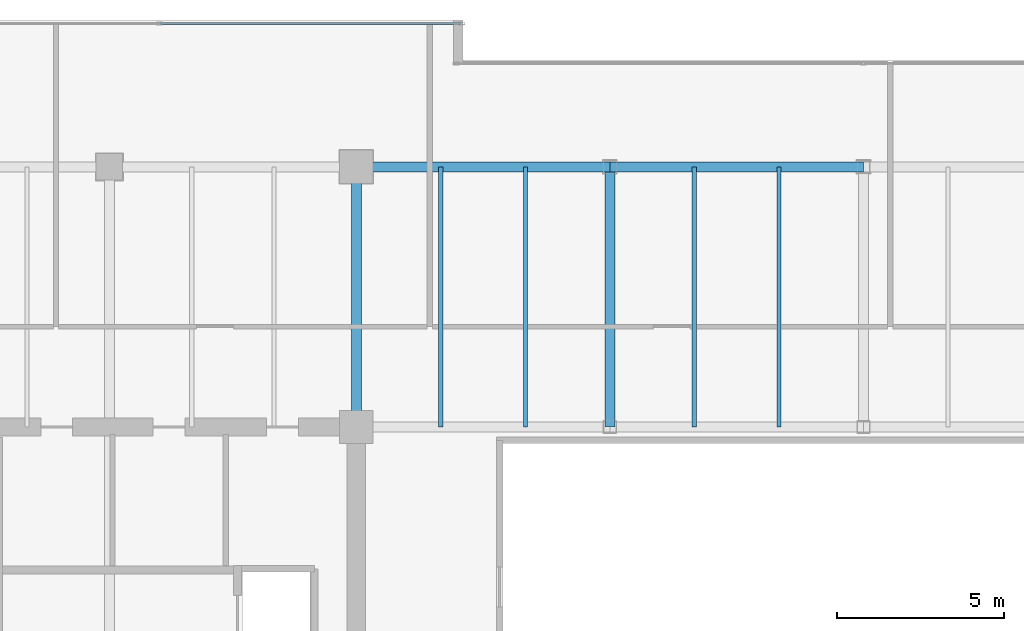
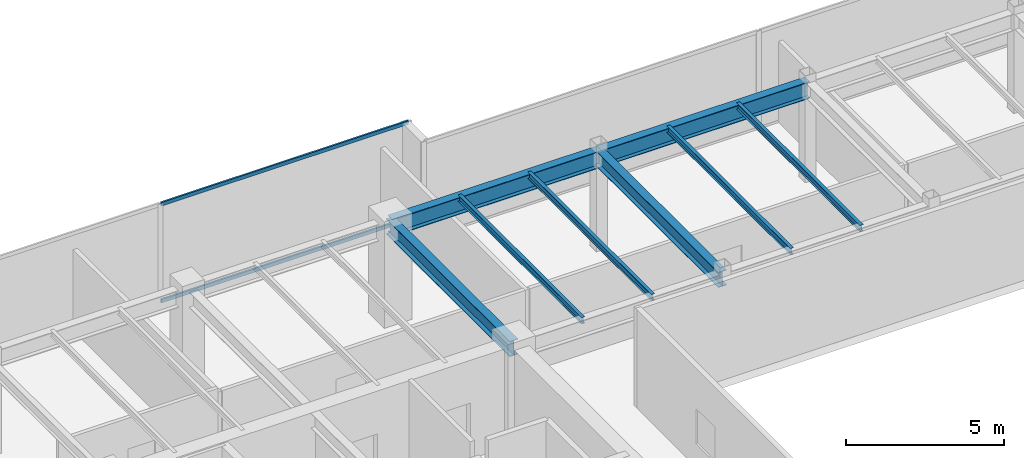
# One storey, part 16 of 36: 8 beams, 2 members, 1 element without a shape of its own.
"""IFC4 building model written with IfcOpenShell, lengths in metres."""

import ifcopenshell
import ifcopenshell.guid

model = None  # the IFC model being written
_history = None  # IfcOwnerHistory: only IFC2X3 demands one
_inside = {}  # id of a spatial element -> (the spatial element, [elements in it])
_under = {}  # id of a project, library or spatial element -> (it, [spatial elements below it])
_declared = {}  # id of a project -> (the project, [libraries it declares])
_typed = {}  # id of a type object -> (the type object, [elements of that type])
_made_of = {}  # id of a material, layer set ... -> (it, [elements and type objects made of it])


def new_model(schema):
    """Start an empty IFC model of exactly this schema.

    Asked for "IFC4X3", IfcOpenShell would pick the latest addendum, in which some entities
    have other attributes; the version numbers below select the first issue.
    IFC2X3 requires an IfcOwnerHistory on every rooted entity: one is made here for all.
    """
    global model, _history
    if schema == "IFC4X3":
        model = ifcopenshell.file(schema_version=(4, 3, 0, 0))
    else:
        model = ifcopenshell.file(schema=schema)
    _inside.clear()
    _under.clear()
    _declared.clear()
    _typed.clear()
    _made_of.clear()
    _history = None
    if model.schema == "IFC2X3":
        org = make("IfcOrganization", Name="unknown")
        user = make(
            "IfcPersonAndOrganization",
            ThePerson=make("IfcPerson", FamilyName="unknown"),
            TheOrganization=org,
        )
        app = make(
            "IfcApplication",
            ApplicationDeveloper=org,
            Version="unknown",
            ApplicationFullName="unknown",
            ApplicationIdentifier="unknown",
        )
        _history = make(
            "IfcOwnerHistory",
            OwningUser=user,
            OwningApplication=app,
            ChangeAction="ADDED",
            CreationDate=0,
        )
    return model


def make(cls, **values):
    """One entity of the class cls with the attributes given. An attribute that is None is left unset."""
    return model.create_entity(
        cls, **{name: value for name, value in values.items() if value is not None}
    )


def rooted(cls, **values):
    """An entity with a GlobalId (a new one), such as an element, a storey or a relation."""
    return make(cls, GlobalId=ifcopenshell.guid.new(), OwnerHistory=_history, **values)


def si_unit(unit_type, name, prefix=None):
    """IfcSIUnit, for example si_unit("LENGTHUNIT", "METRE", prefix="MILLI")."""
    return make("IfcSIUnit", UnitType=unit_type, Prefix=prefix, Name=name)


def assignment(units):
    """IfcUnitAssignment: the units of a project."""
    return None if units is None else make("IfcUnitAssignment", Units=units)


def point(xyz):
    """IfcCartesianPoint."""
    return None if xyz is None else make("IfcCartesianPoint", Coordinates=xyz)


def direction(xyz):
    """IfcDirection."""
    return None if xyz is None else make("IfcDirection", DirectionRatios=xyz)


def frame(location, z_axis=None, x_axis=None):
    """IfcAxis2Placement3D, a coordinate frame: its origin and axes. An axis left out is left unset."""
    return make(
        "IfcAxis2Placement3D",
        Location=point(location),
        Axis=direction(z_axis),
        RefDirection=direction(x_axis),
    )


def frame_2d(location, x_axis=None):
    """IfcAxis2Placement2D, a coordinate frame in the plane: its origin and x axis."""
    return make(
        "IfcAxis2Placement2D", Location=point(location), RefDirection=direction(x_axis)
    )


def origin():
    """The frame at (0, 0, 0) with its axes left unset."""
    return frame((0.0, 0.0, 0.0))


def origin_2d():
    """The frame at (0, 0) in the plane with its x axis left unset."""
    return frame_2d((0.0, 0.0))


def place(relative_to, where):
    """IfcLocalPlacement: puts the frame where relative to a parent placement (None: the world)."""
    return make(
        "IfcLocalPlacement", PlacementRelTo=relative_to, RelativePlacement=where
    )


def context(
    kind, dimensions, precision=None, world=None, true_north=None, identifier=None
):
    """IfcGeometricRepresentationContext, for example the 3D "Model" context."""
    return make(
        "IfcGeometricRepresentationContext",
        ContextIdentifier=identifier,
        ContextType=kind,
        CoordinateSpaceDimension=dimensions,
        Precision=precision,
        WorldCoordinateSystem=world,
        TrueNorth=true_north,
    )


def subcontext(parent, identifier, kind, view, scale=None):
    """IfcGeometricRepresentationSubContext, for example "Body" below "Model"."""
    return make(
        "IfcGeometricRepresentationSubContext",
        ContextIdentifier=identifier,
        ContextType=kind,
        ParentContext=parent,
        TargetScale=scale,
        TargetView=view,
    )


def project(units=None, contexts=None):
    """IfcProject with its units and contexts."""
    return rooted(
        "IfcProject",
        Name="project",
        RepresentationContexts=contexts,
        UnitsInContext=assignment(units),
    )


def spatial(cls, under=None, at=None, **own):
    """A site, building, storey or space (cls), placed at a placement, below another one or the project."""
    s = rooted(cls, ObjectPlacement=at, **own)
    if under is not None:
        _under.setdefault(under.id(), (under, []))[1].append(s)
    return s


def profile(cls, at=None, kind="AREA", **sizes):
    """A parametric profile (cls). Its sizes go by their IFC names, for example OverallWidth=200.0."""
    return make(cls, ProfileType=kind, Position=at, **sizes)


def hollow_rectangle(**sizes):
    """IfcRectangleHollowProfileDef."""
    return profile("IfcRectangleHollowProfileDef", **sizes)


def i_section(**sizes):
    """IfcIShapeProfileDef."""
    return profile("IfcIShapeProfileDef", **sizes)


def extrude(swept, where, along, depth):
    """IfcExtrudedAreaSolid: the profile swept, set in the frame where, extruded along a direction by depth."""
    return make(
        "IfcExtrudedAreaSolid",
        SweptArea=swept,
        Position=where,
        ExtrudedDirection=direction(along),
        Depth=depth,
    )


def shape(context_of_items, identifier, shape_type, items):
    """IfcShapeRepresentation: the items that make up one representation, for example the "Body"."""
    return make(
        "IfcShapeRepresentation",
        ContextOfItems=context_of_items,
        RepresentationIdentifier=identifier,
        RepresentationType=shape_type,
        Items=items,
    )


def source(mapping_origin, context_of_items, identifier, shape_type, items):
    """IfcRepresentationMap: a shape defined once, which mapped items show again and again."""
    return make(
        "IfcRepresentationMap",
        MappingOrigin=mapping_origin,
        MappedRepresentation=shape(context_of_items, identifier, shape_type, items),
    )


def transform(
    local_origin,
    x_axis=None,
    y_axis=None,
    z_axis=None,
    scale=None,
    scale2=None,
    scale3=None,
    uniform=True,
):
    """IfcCartesianTransformationOperator3D, or its non-uniform kind. x_axis, y_axis, z_axis: its Axis1, 2, 3."""
    if uniform:
        return make(
            "IfcCartesianTransformationOperator3D",
            Axis1=direction(x_axis),
            Axis2=direction(y_axis),
            LocalOrigin=point(local_origin),
            Scale=scale,
            Axis3=direction(z_axis),
        )
    return make(
        "IfcCartesianTransformationOperator3DnonUniform",
        Axis1=direction(x_axis),
        Axis2=direction(y_axis),
        LocalOrigin=point(local_origin),
        Scale=scale,
        Axis3=direction(z_axis),
        Scale2=scale2,
        Scale3=scale3,
    )


def mapped(mapping_source, mapping_target):
    """IfcMappedItem: shows the shape of a source again, moved by a transform."""
    return make(
        "IfcMappedItem", MappingSource=mapping_source, MappingTarget=mapping_target
    )


def material(Name=None, Category=None):
    """IfcMaterial."""
    return make("IfcMaterial", Name=Name, Category=Category)


def layer(
    of_material, thickness, ventilated=None, Name=None, Category=None, Priority=None
):
    """IfcMaterialLayer: one layer of a wall or slab, of a material (None: an air gap)."""
    return make(
        "IfcMaterialLayer",
        Material=of_material,
        LayerThickness=thickness,
        IsVentilated=ventilated,
        Name=Name,
        Category=Category,
        Priority=Priority,
    )


def layer_set(layers, Name=None):
    """IfcMaterialLayerSet."""
    return make("IfcMaterialLayerSet", MaterialLayers=layers, LayerSetName=Name)


def material_profile(
    of_material, cross_section, Name=None, Category=None, Priority=None
):
    """IfcMaterialProfile: a cross section and its material."""
    return make(
        "IfcMaterialProfile",
        Name=Name,
        Material=of_material,
        Profile=cross_section,
        Priority=Priority,
        Category=Category,
    )


def profile_set(profiles, Name=None, composite=None):
    """IfcMaterialProfileSet."""
    return make(
        "IfcMaterialProfileSet",
        Name=Name,
        MaterialProfiles=profiles,
        CompositeProfile=composite,
    )


def made_of(thing, what):
    """Note that an element or type object is made of a material, layer set ...; save() writes the relation."""
    if what is not None:
        _made_of.setdefault(what.id(), (what, []))[1].append(thing)
    return thing


def type_object(cls, material=None, **own):
    """A type object (cls), such as IfcWallType, which elements share."""
    return made_of(rooted(cls, **own), material)


def type_shapes(of_type, sources):
    """Give a type object the sources (RepresentationMaps) that its elements show as mapped items."""
    of_type.RepresentationMaps = sources


def element(
    cls,
    number,
    at=None,
    inside=None,
    cuts=None,
    type_object=None,
    material=None,
    context=None,
    identifier="Body",
    shape_type=None,
    held_by="IfcProductDefinitionShape",
    body=None,
    shapes=None,
    **own,
):
    """One element of the class cls, such as IfcWall. Its Tag is "e" and its number.

    at: its placement. inside: the storey or other place that contains it. cuts: it is an
    opening in that element (IfcRelVoidsElement). A single representation is given by context,
    identifier, shape_type and body (its items); several are given by shapes. held_by: the class
    of the entity that holds the representations. save() writes the other relations.
    """
    e = rooted(cls, Tag="e%d" % number, ObjectPlacement=at, **own)
    if body is not None:
        shapes = [shape(context, identifier, shape_type, body)]
    if shapes is not None:
        e.Representation = make(held_by, Representations=shapes)
    if inside is not None:
        _inside.setdefault(inside.id(), (inside, []))[1].append(e)
    if cuts is not None:
        rooted(
            "IfcRelVoidsElement", RelatingBuildingElement=cuts, RelatedOpeningElement=e
        )
    if type_object is not None:
        _typed.setdefault(type_object.id(), (type_object, []))[1].append(e)
    return made_of(e, material)


def aggregate(whole, parts):
    """IfcRelAggregates: a whole, such as a stair, and the parts it consists of."""
    return rooted("IfcRelAggregates", RelatingObject=whole, RelatedObjects=parts)


def save(model, path):
    """Write the relations noted so far, then the file.

    IfcRelAggregates (storeys below a building ...), IfcRelContainedInSpatialStructure (elements
    in a storey), IfcRelDefinesByType, IfcRelAssociatesMaterial and IfcRelDeclares: one each for
    every whole, place, type object, material and project.
    """
    for whole, parts in _under.values():
        aggregate(whole, parts)
    for where, things in _inside.values():
        rooted(
            "IfcRelContainedInSpatialStructure",
            RelatedElements=things,
            RelatingStructure=where,
        )
    for kind, things in _typed.values():
        rooted("IfcRelDefinesByType", RelatedObjects=things, RelatingType=kind)
    for what, things in _made_of.values():
        rooted("IfcRelAssociatesMaterial", RelatedObjects=things, RelatingMaterial=what)
    for by, libraries in _declared.values():
        rooted("IfcRelDeclares", RelatingContext=by, RelatedDefinitions=libraries)
    model.write(path)


model = new_model("IFC4")

# Units and contexts
model_context = context("Model", 3, precision=1e-05, world=origin(), true_north=direction((0.0, 1.0)))
body_context = subcontext(model_context, "Body", "Model", "MODEL_VIEW")
ifc_project = project(units=[si_unit("LENGTHUNIT", "METRE"), si_unit("AREAUNIT", "SQUARE_METRE"), si_unit("VOLUMEUNIT", "CUBIC_METRE"), si_unit("PLANEANGLEUNIT", "RADIAN"), si_unit("MASSUNIT", "GRAM", prefix="KILO")], contexts=[model_context])

# Site, building, storey
site_placement = place(None, origin())
site = spatial("IfcSite", under=ifc_project, at=site_placement, CompositionType="ELEMENT")
building_placement = place(site_placement, origin())
building = spatial("IfcBuilding", under=site, at=building_placement, Name="Haelvirn Gate Laboratories", CompositionType="ELEMENT")
storey_placement = place(building_placement, frame((0.0, 0.0, 254.699951171875)))
storey = spatial("IfcBuildingStorey", under=building, at=storey_placement, Name="L61", CompositionType="ELEMENT", Elevation=254.699951171875)

# Beams
ifc_material_1 = material(Name="Steel SM355", Category="steel")
ifc_material_profile_1 = material_profile(ifc_material_1, i_section(OverallWidth=0.300048828125, OverallDepth=0.587890625, WebThickness=0.011962890625, FlangeThickness=0.02001953125, at=origin_2d()), Name="H-588x300x12x20")
ifc_profile_set_1 = profile_set([ifc_material_profile_1], Name="Steel SM355")
beam_type_1 = type_object("IfcBeamType", Name="BM-G-588", PredefinedType="BEAM", material=ifc_profile_set_1)
shared_shape_1 = source(origin(), body_context, "Body", "SweptSolid", [
    extrude(i_section(OverallWidth=0.300048828125, OverallDepth=0.587890625, WebThickness=0.011962890625, FlangeThickness=0.02001953125, at=origin_2d()), origin(), (0.0, 0.0, 1.0), 7.800048828125),
])
type_shapes(beam_type_1, [shared_shape_1])
for number, where, z_axis, x_axis, name in (
    (1, (22.199951171875, 33.800048828125, 3.506103515625), (0.0, 1.0, 0.0), (-1.0, 0.0, 0.0), "L61 Frame Girder X22.2 (33.8-41.6)"),
    (2, (29.800048828125, 33.800048828125, 3.506103515625), (0.0, 1.0, 0.0), (-1.0, 0.0, 0.0), "L61 Frame Girder X29.8 (33.8-41.6)"),
):
    element("IfcBeam", number, at=place(storey_placement, frame(where, z_axis=z_axis, x_axis=x_axis)), inside=storey, type_object=beam_type_1, Name=name, PredefinedType="BEAM", context=body_context, shape_type="MappedRepresentation", body=[
        mapped(shared_shape_1, transform((0.0, 0.0, 0.0), scale=1.0)),
    ])
ifc_material_profile_2 = material_profile(ifc_material_1, i_section(OverallWidth=0.300048828125, OverallDepth=0.64990234375, WebThickness=0.012939453125, FlangeThickness=0.02197265625, at=origin_2d()), Name="H-650x300x13x22")
ifc_profile_set_2 = profile_set([ifc_material_profile_2], Name="Steel SM355")
beam_type_2 = type_object("IfcBeamType", Name="BM-G-650", PredefinedType="BEAM", material=ifc_profile_set_2)
shared_shape_2 = source(origin(), body_context, "Body", "SweptSolid", [
    extrude(i_section(OverallWidth=0.300048828125, OverallDepth=0.64990234375, WebThickness=0.012939453125, FlangeThickness=0.02197265625, at=origin_2d()), origin(), (0.0, 0.0, 1.0), 7.60009765625),
])
beam_1_placement = place(storey_placement, frame((22.199951171875, 41.60009765625, 3.47509765625), z_axis=(1.0, 0.0, 0.0), x_axis=(0.0, 1.0, 0.0)))
element("IfcBeam", 3, at=beam_1_placement, inside=storey, type_object=beam_type_2, Name="L61 Primary Girder Y41.6 (22.2-29.8)", PredefinedType="BEAM", context=body_context, shape_type="MappedRepresentation", body=[
    mapped(shared_shape_2, transform((0.0, 0.0, 0.0), scale=1.0)),
])
shared_shape_3 = source(origin(), body_context, "Body", "SweptSolid", [
    extrude(i_section(OverallWidth=0.300048828125, OverallDepth=0.64990234375, WebThickness=0.012939453125, FlangeThickness=0.02197265625, at=origin_2d()), origin(), (0.0, 0.0, 1.0), 7.599853515625),
])
type_shapes(beam_type_2, [shared_shape_2, shared_shape_3])
beam_2_placement = place(storey_placement, frame((29.800048828125, 41.60009765625, 3.47509765625), z_axis=(1.0, 0.0, 0.0), x_axis=(0.0, 1.0, 0.0)))
element("IfcBeam", 4, at=beam_2_placement, inside=storey, type_object=beam_type_2, Name="L61 Primary Girder Y41.6 (29.8-37.4)", PredefinedType="BEAM", context=body_context, shape_type="MappedRepresentation", body=[
    mapped(shared_shape_3, transform((0.0, 0.0, 0.0), scale=1.0)),
])
ifc_material_profile_3 = material_profile(ifc_material_1, i_section(OverallWidth=0.125, OverallDepth=0.25, WebThickness=0.006103515625, FlangeThickness=0.009033203125, at=origin_2d()), Name="H-250x125x6x9")
ifc_profile_set_3 = profile_set([ifc_material_profile_3], Name="Steel SM355")
beam_type_3 = type_object("IfcBeamType", Name="BM-J-250", PredefinedType="JOIST", material=ifc_profile_set_3)
shared_shape_4 = source(origin(), body_context, "Body", "SweptSolid", [
    extrude(i_section(OverallWidth=0.125, OverallDepth=0.25, WebThickness=0.006103515625, FlangeThickness=0.009033203125, at=origin_2d()), origin(), (0.0, 0.0, 1.0), 7.800048828125),
])
type_shapes(beam_type_3, [shared_shape_4])
for number, where, z_axis, x_axis, name in (
    (5, (24.72998046875, 33.800048828125, 3.675048828125), (0.0, 1.0, 0.0), (-1.0, 0.0, 0.0), "L61 Composite Lab Joist North X24.73"),
    (6, (27.27001953125, 33.800048828125, 3.675048828125), (0.0, 1.0, 0.0), (-1.0, 0.0, 0.0), "L61 Composite Lab Joist North X27.27"),
    (7, (32.330078125, 33.800048828125, 3.675048828125), (0.0, 1.0, 0.0), (-1.0, 0.0, 0.0), "L61 Composite Lab Joist North X32.33"),
    (8, (34.8701171875, 33.800048828125, 3.675048828125), (0.0, 1.0, 0.0), (-1.0, 0.0, 0.0), "L61 Composite Lab Joist North X34.87"),
):
    element("IfcBeam", number, at=place(storey_placement, frame(where, z_axis=z_axis, x_axis=x_axis)), inside=storey, type_object=beam_type_3, Name=name, PredefinedType="JOIST", context=body_context, shape_type="MappedRepresentation", body=[
        mapped(shared_shape_4, transform((0.0, 0.0, 0.0), scale=1.0)),
    ])

# Curtain wall, members
ifc_material_2 = material(Name="Anodised bronze unitised aluminium & triple low-E glass", Category="aluminium")
ifc_layer = layer(ifc_material_2, 0.176025390625, Name="CW-SYS-4")
ifc_layer_set = layer_set([ifc_layer], Name="Anodised bronze unitised aluminium & triple low-E glass")
curtain_wall_type = type_object("IfcCurtainWallType", Name="CW-SYS-4", PredefinedType="NOTDEFINED", material=ifc_layer_set)
curtain_wall_placement = place(storey_placement, origin())
curtain_wall = element("IfcCurtainWall", 9, at=curtain_wall_placement, inside=storey, type_object=curtain_wall_type, Name="L61 Unitised Curtain Wall CW-L61-P0-E14-1", PredefinedType="NOTDEFINED")
ifc_material_3 = material(Name="Extruded aluminium 6063-T6 (anodised bronze)", Category="aluminium")
ifc_material_profile_4 = material_profile(ifc_material_3, hollow_rectangle(XDim=0.06494140625, YDim=0.139892578125, WallThickness=0.00390625, at=origin_2d()), Name="CWT-140x65x4")
ifc_profile_set_4 = profile_set([ifc_material_profile_4], Name="Extruded aluminium 6063-T6 (anodised bronze)")
member_type = type_object("IfcMemberType", Name="CWT-T140", PredefinedType="USERDEFINED", material=ifc_profile_set_4)
shared_shape_5 = source(origin(), body_context, "Body", "SweptSolid", [
    extrude(hollow_rectangle(XDim=0.06494140625, YDim=0.139892578125, WallThickness=0.00390625, at=origin_2d()), origin(), (0.0, 0.0, 1.0), 8.9951171875),
])
type_shapes(member_type, [shared_shape_5])
member_1_placement = place(storey_placement, frame((16.3349609375, 45.89990234375, 0.032470703125), z_axis=(1.0, 0.0, 0.0), x_axis=(0.0, 1.0, 0.0)))
member_1 = element("IfcMember", 10, at=member_1_placement, type_object=member_type, Name="CW4 transom 2.1", ObjectType="TRANSOM", PredefinedType="USERDEFINED", context=body_context, shape_type="MappedRepresentation", body=[
    mapped(shared_shape_5, transform((0.0, 0.0, 0.0), scale=1.0)),
])
member_2_placement = place(storey_placement, frame((16.3349609375, 45.89990234375, 3.767578125), z_axis=(1.0, 0.0, 0.0), x_axis=(0.0, 1.0, 0.0)))
member_2 = element("IfcMember", 11, at=member_2_placement, type_object=member_type, Name="CW4 transom 2.2", ObjectType="TRANSOM", PredefinedType="USERDEFINED", context=body_context, shape_type="MappedRepresentation", body=[
    mapped(shared_shape_5, transform((0.0, 0.0, 0.0), scale=1.0)),
])
aggregate(curtain_wall, [member_1, member_2])

save(model, "model.ifc")
